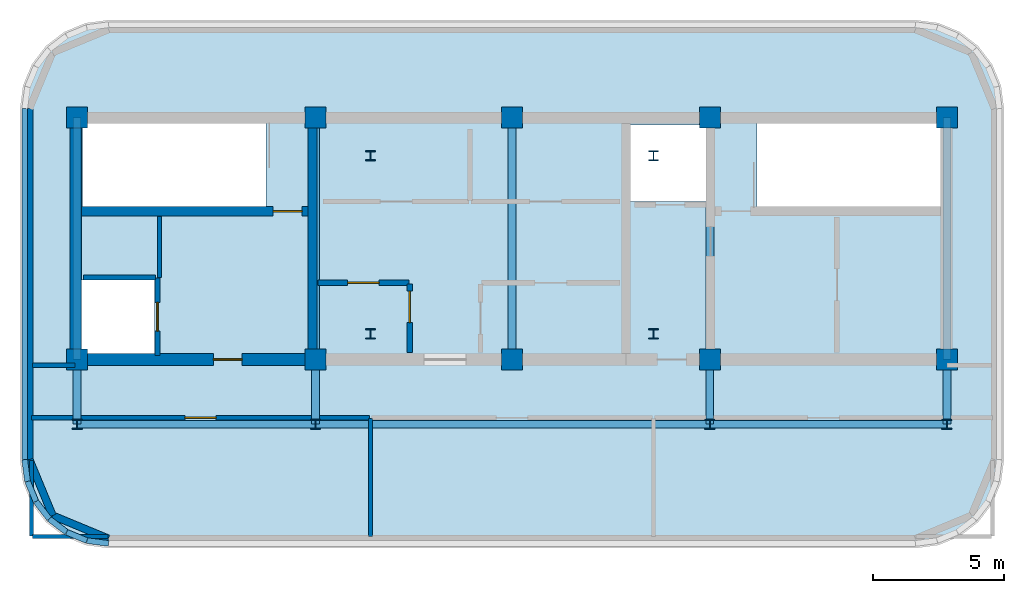
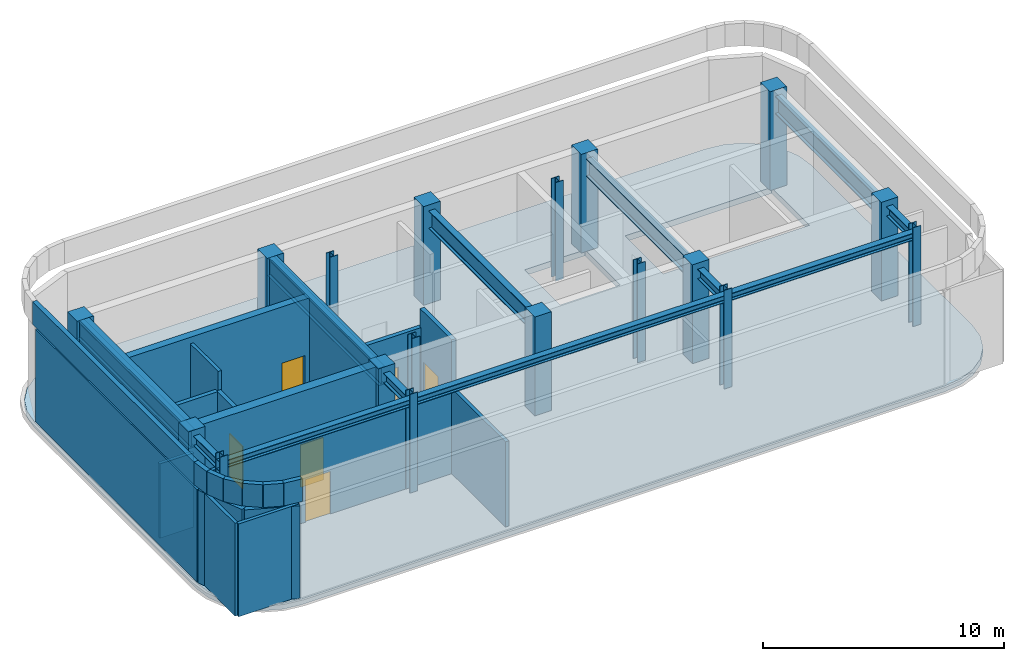
# One storey, part 1 of 4: 24 walls, 18 columns, 12 beams, 6 doors, 1 slab, 6 openings.
"""IFC4 building model written with IfcOpenShell, lengths in metres."""

from ifc_helpers import new_model, si_unit, direction, frame, frame_2d, origin, origin_2d, place, context, subcontext, project, spatial, polyline, rectangle, i_section, outline, extrude, material, layer, layer_set, material_profile, profile_set, type_object, element, fill, save


model = new_model("IFC4")

# Units and contexts
model_context = context("Model", 3, precision=1e-05, world=origin(), true_north=direction((0.0, 1.0)))
body_context = subcontext(model_context, "Body", "Model", "MODEL_VIEW")
ifc_project = project(units=[si_unit("LENGTHUNIT", "METRE"), si_unit("AREAUNIT", "SQUARE_METRE"), si_unit("VOLUMEUNIT", "CUBIC_METRE"), si_unit("PLANEANGLEUNIT", "RADIAN"), si_unit("MASSUNIT", "GRAM", prefix="KILO")], contexts=[model_context])

# Site, building, storey
site_placement = place(None, origin())
site = spatial("IfcSite", under=ifc_project, at=site_placement, CompositionType="ELEMENT")
building_placement = place(site_placement, origin())
building = spatial("IfcBuilding", under=site, at=building_placement, Name="Zarnavel Station Tower", CompositionType="ELEMENT")
storey_placement = place(building_placement, frame((0.0, 0.0, 286.60009765625)))
storey = spatial("IfcBuildingStorey", under=building, at=storey_placement, Name="L77", CompositionType="ELEMENT", Elevation=286.60009765625)

# Columns
ifc_material_1 = material(Name="Steel S355J2", Category="steel")
ifc_material_profile_1 = material_profile(ifc_material_1, i_section(OverallWidth=0.3740234375, OverallDepth=0.3720703125, WebThickness=0.0166015625, FlangeThickness=0.027099609375, FilletRadius=0.014892578125, at=origin_2d()), Name="HD360x196")
ifc_profile_set_1 = profile_set([ifc_material_profile_1], Name="Steel S355J2")
column_type_1 = type_object("IfcColumnType", Name="IC_HD196", PredefinedType="COLUMN", material=ifc_profile_set_1)
for number, where, z_axis, x_axis, name in (
    (1, (23.39990234375, 28.800048828125, 0.0), (0.0, 0.0, 1.0), (1.0, 0.0, 0.0), "L77 Mast Spine Column 1"),
    (2, (34.199951171875, 28.800048828125, 0.0), (0.0, 0.0, 1.0), (1.0, 0.0, 0.0), "L77 Mast Spine Column 2"),
    (3, (34.199951171875, 35.60009765625, 0.0), (0.0, 0.0, 1.0), (1.0, 0.0, 0.0), "L77 Mast Spine Column 3"),
    (4, (23.39990234375, 35.60009765625, 0.0), (0.0, 0.0, 1.0), (1.0, 0.0, 0.0), "L77 Mast Spine Column 4"),
    (5, (12.199951171875, 25.35009765625, 0.0), (0.0, 0.0, 1.0), (1.0, 0.0, 0.0), "L77 Inner Spine Column 1"),
    (6, (21.300048828125, 25.35009765625, 0.0), (0.0, 0.0, 1.0), (1.0, 0.0, 0.0), "L77 Inner Spine Column 2"),
    (7, (36.35009765625, 25.35009765625, 0.0), (0.0, 0.0, 1.0), (1.0, 0.0, 0.0), "L77 Inner Spine Column 4"),
    (8, (45.39990234375, 25.35009765625, 0.0), (0.0, 0.0, 1.0), (1.0, 0.0, 0.0), "L77 Inner Spine Column 5"),
):
    element("IfcColumn", number, at=place(storey_placement, frame(where, z_axis=z_axis, x_axis=x_axis)), inside=storey, type_object=column_type_1, Name=name, PredefinedType="COLUMN", context=body_context, shape_type="SweptSolid", body=[
        extrude(i_section(OverallWidth=0.3740234375, OverallDepth=0.3720703125, WebThickness=0.0166015625, FlangeThickness=0.027099609375, FilletRadius=0.014892578125, at=origin_2d()), origin(), (0.0, 0.0, 1.0), 5.0),
    ])
ifc_material_2 = material(Name="Concrete C45/55", Category="concrete")
ifc_material_profile_2 = material_profile(ifc_material_2, rectangle(XDim=0.800048828125, YDim=0.800048828125, at=origin_2d()), Name="RC800x800")
ifc_profile_set_2 = profile_set([ifc_material_profile_2], Name="Concrete C45/55")
column_type_2 = type_object("IfcColumnType", Name="IC_RC800", PredefinedType="COLUMN", material=ifc_profile_set_2)
for number, where, z_axis, x_axis, name in (
    (9, (12.199951171875, 27.820068359375, 0.0), (0.0, 0.0, 1.0), (1.0, 0.0, 0.0), "L77 Core Spine Column 1-1"),
    (10, (12.199951171875, 37.050048828125, 0.0), (0.0, 0.0, 1.0), (1.0, 0.0, 0.0), "L77 Core Spine Column 1-2"),
    (11, (21.300048828125, 27.820068359375, 0.0), (0.0, 0.0, 1.0), (1.0, 0.0, 0.0), "L77 Core Spine Column 2-1"),
    (12, (21.300048828125, 37.050048828125, 0.0), (0.0, 0.0, 1.0), (1.0, 0.0, 0.0), "L77 Core Spine Column 2-2"),
    (13, (28.800048828125, 27.820068359375, 0.0), (0.0, 0.0, 1.0), (1.0, 0.0, 0.0), "L77 Core Spine Column 3-1"),
    (14, (28.800048828125, 37.050048828125, 0.0), (0.0, 0.0, 1.0), (1.0, 0.0, 0.0), "L77 Core Spine Column 3-2"),
    (15, (36.35009765625, 27.820068359375, 0.0), (0.0, 0.0, 1.0), (1.0, 0.0, 0.0), "L77 Core Spine Column 4-1"),
    (16, (36.35009765625, 37.050048828125, 0.0), (0.0, 0.0, 1.0), (1.0, 0.0, 0.0), "L77 Core Spine Column 4-2"),
    (17, (45.39990234375, 27.820068359375, 0.0), (0.0, 0.0, 1.0), (1.0, 0.0, 0.0), "L77 Core Spine Column 5-1"),
    (18, (45.39990234375, 37.050048828125, 0.0), (0.0, 0.0, 1.0), (1.0, 0.0, 0.0), "L77 Core Spine Column 5-2"),
):
    element("IfcColumn", number, at=place(storey_placement, frame(where, z_axis=z_axis, x_axis=x_axis)), inside=storey, type_object=column_type_2, Name=name, PredefinedType="COLUMN", context=body_context, shape_type="SweptSolid", body=[
        extrude(rectangle(XDim=0.800048828125, YDim=0.800048828125, at=origin_2d()), origin(), (0.0, 0.0, 1.0), 5.0),
    ])

# Beams
ifc_material_3 = material(Name="Steel S355J2", Category="steel")
ifc_material_profile_3 = material_profile(ifc_material_3, i_section(OverallWidth=0.300048828125, OverallDepth=0.360107421875, WebThickness=0.012451171875, FlangeThickness=0.0224609375, FilletRadius=0.027099609375, at=origin_2d()), Name="HEB360")
ifc_profile_set_3 = profile_set([ifc_material_profile_3], Name="Steel S355J2")
beam_type_1 = type_object("IfcBeamType", Name="EB_HEB360", PredefinedType="SPANDREL", material=ifc_profile_set_3)
beam_1_placement = place(storey_placement, frame((12.199951171875, 25.35009765625, 4.52001953125), z_axis=(1.0, 0.0, 0.0), x_axis=(0.0, 1.0, 0.0)))
element("IfcBeam", 19, at=beam_1_placement, inside=storey, type_object=beam_type_1, Name="L77 Crown Ring West", PredefinedType="SPANDREL", context=body_context, shape_type="SweptSolid", body=[
    extrude(i_section(OverallWidth=0.300048828125, OverallDepth=0.360107421875, WebThickness=0.012451171875, FlangeThickness=0.0224609375, FilletRadius=0.027099609375, at=origin_2d()), origin(), (0.0, 0.0, 1.0), 9.10009765625),
])
beam_2_placement = place(storey_placement, frame((21.300048828125, 25.35009765625, 4.52001953125), z_axis=(1.0, 0.0, 0.0), x_axis=(0.0, 1.0, 0.0)))
element("IfcBeam", 20, at=beam_2_placement, inside=storey, type_object=beam_type_1, Name="L77 Crown Ring Mid", PredefinedType="SPANDREL", context=body_context, shape_type="SweptSolid", body=[
    extrude(i_section(OverallWidth=0.300048828125, OverallDepth=0.360107421875, WebThickness=0.012451171875, FlangeThickness=0.0224609375, FilletRadius=0.027099609375, at=origin_2d()), origin(), (0.0, 0.0, 1.0), 15.050048828125),
])
beam_3_placement = place(storey_placement, frame((36.35009765625, 25.35009765625, 4.52001953125), z_axis=(1.0, 0.0, 0.0), x_axis=(0.0, 1.0, 0.0)))
element("IfcBeam", 21, at=beam_3_placement, inside=storey, type_object=beam_type_1, Name="L77 Crown Ring East", PredefinedType="SPANDREL", context=body_context, shape_type="SweptSolid", body=[
    extrude(i_section(OverallWidth=0.300048828125, OverallDepth=0.360107421875, WebThickness=0.012451171875, FlangeThickness=0.0224609375, FilletRadius=0.027099609375, at=origin_2d()), origin(), (0.0, 0.0, 1.0), 9.0498046875),
])
ifc_material_4 = material(Name="Steel S355J2", Category="steel")
ifc_material_profile_4 = material_profile(ifc_material_4, i_section(OverallWidth=0.300048828125, OverallDepth=0.5, WebThickness=0.014404296875, FlangeThickness=0.028076171875, FilletRadius=0.027099609375, at=origin_2d()), Name="HEB500")
ifc_profile_set_4 = profile_set([ifc_material_profile_4], Name="Steel S355J2")
beam_type_2 = type_object("IfcBeamType", Name="FG_HEB500", PredefinedType="USERDEFINED", material=ifc_profile_set_4)
for number, where, z_axis, x_axis, name in (
    (22, (12.199951171875, 25.35009765625, 4.449951171875), (0.0, 1.0, 0.0), (-1.0, 0.0, 0.0), "L77 Crown Radial Girder 1"),
    (23, (21.300048828125, 25.35009765625, 4.449951171875), (0.0, 1.0, 0.0), (-1.0, 0.0, 0.0), "L77 Crown Radial Girder 2"),
    (24, (36.35009765625, 25.35009765625, 4.449951171875), (0.0, 1.0, 0.0), (-1.0, 0.0, 0.0), "L77 Crown Radial Girder 3"),
    (25, (45.39990234375, 25.35009765625, 4.449951171875), (0.0, 1.0, 0.0), (-1.0, 0.0, 0.0), "L77 Crown Radial Girder 4"),
):
    element("IfcBeam", number, at=place(storey_placement, frame(where, z_axis=z_axis, x_axis=x_axis)), inside=storey, type_object=beam_type_2, Name=name, ObjectType="GIRDER", PredefinedType="USERDEFINED", context=body_context, shape_type="SweptSolid", body=[
        extrude(i_section(OverallWidth=0.300048828125, OverallDepth=0.5, WebThickness=0.014404296875, FlangeThickness=0.028076171875, FilletRadius=0.027099609375, at=origin_2d()), origin(), (0.0, 0.0, 1.0), 2.469970703125),
    ])
ifc_material_5 = material(Name="Steel S460M", Category="steel")
ifc_material_profile_5 = material_profile(ifc_material_5, i_section(OverallWidth=0.302001953125, OverallDepth=0.909912109375, WebThickness=0.02099609375, FlangeThickness=0.0400390625, FilletRadius=0.030029296875, at=origin_2d()), Name="HEM900")
ifc_profile_set_5 = profile_set([ifc_material_profile_5], Name="Steel S460M")
beam_type_3 = type_object("IfcBeamType", Name="TG_HEM900", PredefinedType="USERDEFINED", material=ifc_profile_set_5)
for number, where, z_axis, x_axis, name in (
    (26, (12.199951171875, 27.820068359375, 4.244873046875), (0.0, 1.0, 0.0), (-1.0, 0.0, 0.0), "L77 Core Spine Coupling Girder 1"),
    (27, (21.300048828125, 27.820068359375, 4.244873046875), (0.0, 1.0, 0.0), (-1.0, 0.0, 0.0), "L77 Core Spine Coupling Girder 2"),
    (28, (28.800048828125, 27.820068359375, 4.244873046875), (0.0, 1.0, 0.0), (-1.0, 0.0, 0.0), "L77 Core Spine Coupling Girder 3"),
    (29, (36.35009765625, 27.820068359375, 4.244873046875), (0.0, 1.0, 0.0), (-1.0, 0.0, 0.0), "L77 Core Spine Coupling Girder 4"),
    (30, (45.39990234375, 27.820068359375, 4.244873046875), (0.0, 1.0, 0.0), (-1.0, 0.0, 0.0), "L77 Core Spine Coupling Girder 5"),
):
    element("IfcBeam", number, at=place(storey_placement, frame(where, z_axis=z_axis, x_axis=x_axis)), inside=storey, type_object=beam_type_3, Name=name, ObjectType="GIRDER", PredefinedType="USERDEFINED", context=body_context, shape_type="SweptSolid", body=[
        extrude(i_section(OverallWidth=0.302001953125, OverallDepth=0.909912109375, WebThickness=0.02099609375, FlangeThickness=0.0400390625, FilletRadius=0.030029296875, at=origin_2d()), origin(), (0.0, 0.0, 1.0), 9.22998046875),
    ])

# Slab
ifc_material_6 = material(Name="Concrete C45/55", Category="concrete")
ifc_layer_1 = layer(ifc_material_6, 0.300048828125)
ifc_layer_set_1 = layer_set([ifc_layer_1], Name="SL_FLR_300")
slab_type = type_object("IfcSlabType", Name="SL_FLR_300", PredefinedType="FLOOR", material=ifc_layer_set_1)
slab_placement = place(storey_placement, frame((0.0, 0.0, -0.300048828125)))
element("IfcSlab", 31, at=slab_placement, inside=storey, type_object=slab_type, Name="L77 Structural Floor Slab", PredefinedType="FLOOR", context=body_context, shape_type="SweptSolid", body=[
    extrude(outline(polyline([(44.199951171875, 20.800048828125), (45.0283203125, 20.908935546875), (45.800048828125, 21.228759765625), (46.462646484375, 21.7373046875), (46.97119140625, 22.39990234375), (47.291015625, 23.171875), (47.39990234375, 24.0), (47.39990234375, 37.39990234375), (47.291015625, 38.228271484375), (46.97119140625, 39.0), (46.462646484375, 39.66259765625), (45.800048828125, 40.17138671875), (45.0283203125, 40.490966796875), (44.199951171875, 40.60009765625), (13.39990234375, 40.60009765625), (12.57177734375, 40.490966796875), (11.800048828125, 40.17138671875), (11.13720703125, 39.66259765625), (10.628662109375, 39.0), (10.30908203125, 38.228271484375), (10.199951171875, 37.39990234375), (10.199951171875, 24.0), (10.30908203125, 23.171875), (10.628662109375, 22.39990234375), (11.13720703125, 21.7373046875), (11.800048828125, 21.228759765625), (12.57177734375, 20.908935546875), (13.39990234375, 20.800048828125), (44.199951171875, 20.800048828125)]), holes=[polyline([(12.39990234375, 33.659912109375), (19.409912109375, 33.659912109375), (19.409912109375, 36.820068359375), (12.39990234375, 36.820068359375), (12.39990234375, 33.659912109375)]), polyline([(38.14990234375, 33.659912109375), (45.159912109375, 33.659912109375), (45.159912109375, 36.820068359375), (38.14990234375, 36.820068359375), (38.14990234375, 33.659912109375)]), polyline([(12.35009765625, 27.949951171875), (15.14990234375, 27.949951171875), (15.14990234375, 30.85009765625), (12.35009765625, 30.85009765625), (12.35009765625, 27.949951171875)]), polyline([(33.320068359375, 33.85009765625), (36.2099609375, 33.85009765625), (36.2099609375, 36.780029296875), (33.320068359375, 36.780029296875), (33.320068359375, 33.85009765625)])]), origin(), (0.0, 0.0, 1.0), 0.300048828125),
])

# Wall
ifc_material_7 = material(Name="Concrete C50/60", Category="concrete")
ifc_layer_2 = layer(ifc_material_7, 0.35009765625)
ifc_layer_set_2 = layer_set([ifc_layer_2], Name="CW_350")
wall_type_1 = type_object("IfcWallType", Name="CW_350", PredefinedType="SHEAR", material=ifc_layer_set_2)
wall_1_placement = place(storey_placement, frame((21.179931640625, 28.044921875, 0.0), z_axis=(0.0, 0.0, 1.0), x_axis=(0.0, 1.0, 0.0)))
element("IfcWall", 32, at=wall_1_placement, inside=storey, type_object=wall_type_1, Name="L77 Rear Core Shear Wall DIV-W", PredefinedType="SHEAR", context=body_context, shape_type="SweptSolid", body=[
    extrude(rectangle(XDim=8.780029296875, YDim=0.35009765625, at=frame_2d((4.39013671875, 0.0))), origin(), (0.0, 0.0, 1.0), 5.0),
])

# Wall, opening, door
wall_2_placement = place(storey_placement, frame((21.0048828125, 33.47998046875, 0.0), z_axis=(0.0, 0.0, 1.0), x_axis=(-1.0, 0.0, 0.0)))
wall_2 = element("IfcWall", 33, at=wall_2_placement, inside=storey, type_object=wall_type_1, Name="L77 Rear Core Shear Wall DIV-H1", PredefinedType="SHEAR", context=body_context, shape_type="SweptSolid", body=[
    extrude(rectangle(XDim=8.6298828125, YDim=0.35009765625, at=frame_2d((4.31494140625, 0.0))), origin(), (0.0, 0.0, 1.0), 5.0),
])
opening_1_placement = place(wall_2_placement, frame((0.219970703125, 0.0, 0.0)))
opening_1 = element("IfcOpeningElement", 34, at=opening_1_placement, cuts=wall_2, Name="Opening FD01", PredefinedType="OPENING", context=body_context, shape_type="SweptSolid", body=[
    extrude(rectangle(XDim=1.10009765625, YDim=2.14990234375, at=frame_2d((0.550048828125, 1.074951171875))), frame((0.0, 0.18505859375, 0.0), z_axis=(0.0, -1.0, 0.0), x_axis=(1.0, 0.0, 0.0)), (0.0, 0.0, 1.0), 0.3701171875),
])
ifc_material_8 = material(Name="Painted Galvanised Steel and Hardwood Leaf", Category="steel")
door_type_1 = type_object("IfcDoorType", Name="ID_STAIR_1100", OperationType="NOTDEFINED", PredefinedType="DOOR", material=ifc_material_8)
door_1_placement = place(opening_1_placement, origin())
door_1 = element("IfcDoor", 35, at=door_1_placement, inside=storey, type_object=door_type_1, Name="L77 Stair ST1 Lobby Fire Door", OperationType="SINGLE_SWING_LEFT", OverallHeight=2.14990234375, OverallWidth=1.10009765625, PredefinedType="DOOR", context=body_context, shape_type="SweptSolid", body=[
    extrude(rectangle(XDim=1.10009765625, YDim=2.14990234375, at=frame_2d((0.550048828125, 1.074951171875))), frame((0.0, 0.02490234375, 0.0), z_axis=(0.0, -1.0, 0.0), x_axis=(1.0, 0.0, 0.0)), (0.0, 0.0, 1.0), 0.050048828125),
])
fill(opening_1, door_1)

ifc_material_9 = material(Name="Concrete C50/60", Category="concrete")
ifc_layer_3 = layer(ifc_material_9, 0.449951171875)
ifc_layer_set_3 = layer_set([ifc_layer_3], Name="CW_450")
wall_type_2 = type_object("IfcWallType", Name="CW_450", PredefinedType="SHEAR", material=ifc_layer_set_3)
wall_3_placement = place(storey_placement, frame((21.179931640625, 27.820068359375, 0.0), z_axis=(0.0, 0.0, 1.0), x_axis=(-1.0, 0.0, 0.0)))
wall_3 = element("IfcWall", 36, at=wall_3_placement, inside=storey, type_object=wall_type_2, Name="L77 Rear Core Shear Wall S-W", PredefinedType="SHEAR", context=body_context, shape_type="SweptSolid", body=[
    extrude(rectangle(XDim=9.030029296875, YDim=0.449951171875, at=frame_2d((4.51513671875, 0.0))), origin(), (0.0, 0.0, 1.0), 5.0),
])
opening_2_placement = place(wall_3_placement, frame((2.679931640625, 0.0, 0.0)))
opening_2 = element("IfcOpeningElement", 37, at=opening_2_placement, cuts=wall_3, Name="Opening FD01", PredefinedType="OPENING", context=body_context, shape_type="SweptSolid", body=[
    extrude(rectangle(XDim=1.10009765625, YDim=2.14990234375, at=frame_2d((0.550048828125, 1.074951171875))), frame((0.0, 0.23486328125, 0.0), z_axis=(0.0, -1.0, 0.0), x_axis=(1.0, 0.0, 0.0)), (0.0, 0.0, 1.0), 0.469970703125),
])
door_2_placement = place(opening_2_placement, origin())
door_2 = element("IfcDoor", 38, at=door_2_placement, inside=storey, type_object=door_type_1, Name="L77 West Firefighting Lobby Door", OperationType="SINGLE_SWING_RIGHT", OverallHeight=2.14990234375, OverallWidth=1.10009765625, PredefinedType="DOOR", context=body_context, shape_type="SweptSolid", body=[
    extrude(rectangle(XDim=1.10009765625, YDim=2.14990234375, at=frame_2d((0.550048828125, 1.074951171875))), frame((0.0, 0.02490234375, 0.0), z_axis=(0.0, -1.0, 0.0), x_axis=(1.0, 0.0, 0.0)), (0.0, 0.0, 1.0), 0.050048828125),
])
fill(opening_2, door_2)

# Walls
wall_4_placement = place(storey_placement, frame((12.14990234375, 28.044921875, 0.0), z_axis=(0.0, 0.0, 1.0), x_axis=(0.0, 1.0, 0.0)))
element("IfcWall", 39, at=wall_4_placement, inside=storey, type_object=wall_type_2, Name="L77 Rear Core Shear Wall W", PredefinedType="SHEAR", context=body_context, shape_type="SweptSolid", body=[
    extrude(rectangle(XDim=8.780029296875, YDim=0.449951171875, at=frame_2d((4.39013671875, 0.0))), origin(), (0.0, 0.0, 1.0), 5.0),
])
ifc_material_10 = material(Name="Precast concrete C45/55 (Crown Drum Cladding)", Category="concrete")
ifc_layer_4 = layer(ifc_material_10, 0.280029296875)
ifc_layer_set_4 = layer_set([ifc_layer_4], Name="EW_DRUM_280")
wall_type_3 = type_object("IfcWallType", Name="EW_DRUM_280", PredefinedType="SOLIDWALL", material=ifc_layer_set_4)
wall_5_placement = place(storey_placement, frame((10.3798828125, 24.0, 0.0), z_axis=(0.0, 0.0, 1.0), x_axis=(0.0, 1.0, 0.0)))
element("IfcWall", 40, at=wall_5_placement, inside=storey, type_object=wall_type_3, Name="L77 Exterior Basalt Masonry Frame Wall 09", PredefinedType="SOLIDWALL", context=body_context, shape_type="SweptSolid", body=[
    extrude(rectangle(XDim=13.39990234375, YDim=0.280029296875, at=frame_2d((6.699951171875, 0.0))), origin(), (0.0, 0.0, 1.0), 4.699951171875),
])
for number, where, z_axis, x_axis, name in (
    (41, (11.264404296875, 21.864501953125, 0.0), (0.0, 0.0, 1.0), (-0.382672070113, 0.923884238828, 0.0), "L77 Exterior Basalt Masonry Frame Wall 10"),
    (42, (13.39990234375, 20.97998046875, 0.0), (0.0, 0.0, 1.0), (-0.923884238828, 0.382672070113, 0.0), "L77 Exterior Basalt Masonry Frame Wall 11"),
):
    element("IfcWall", number, at=place(storey_placement, frame(where, z_axis=z_axis, x_axis=x_axis)), inside=storey, type_object=wall_type_3, Name=name, PredefinedType="SOLIDWALL", context=body_context, shape_type="SweptSolid", body=[
        extrude(rectangle(XDim=2.3115234375, YDim=0.280029296875, at=frame_2d((1.15576171875, 0.0))), origin(), (0.0, 0.0, 1.0), 4.699951171875),
    ])

# Wall, opening, door
ifc_material_11 = material(Name="Gypsum Twin-Stud Acoustic Fire Partition", Category="concrete")
ifc_layer_5 = layer(ifc_material_11, 0.159912109375)
ifc_layer_set_5 = layer_set([ifc_layer_5], Name="PT_DEMISE_160")
wall_type_4 = type_object("IfcWallType", Name="PT_DEMISE_160", PredefinedType="PARTITIONING", material=ifc_layer_set_5)
wall_6_placement = place(storey_placement, frame((10.4599609375, 25.60009765625, 0.0), z_axis=(0.0, 0.0, 1.0), x_axis=(1.0, 0.0, 0.0)))
wall_6 = element("IfcWall", 43, at=wall_6_placement, inside=storey, type_object=wall_type_4, Name="L77 Partition DCOR-TXM1", PredefinedType="PARTITIONING", context=body_context, shape_type="SweptSolid", body=[
    extrude(rectangle(XDim=12.900146484375, YDim=0.159912109375, at=frame_2d((6.4501953125, 0.0))), origin(), (0.0, 0.0, 1.0), 4.179931640625),
])
opening_3_placement = place(wall_6_placement, frame((5.85009765625, 0.0, 0.0)))
opening_3 = element("IfcOpeningElement", 44, at=opening_3_placement, cuts=wall_6, Name="Opening FD03", PredefinedType="OPENING", context=body_context, shape_type="SweptSolid", body=[
    extrude(rectangle(XDim=1.199951171875, YDim=2.14990234375, at=frame_2d((0.60009765625, 1.074951171875))), frame((0.0, 0.08984375, 0.0), z_axis=(0.0, -1.0, 0.0), x_axis=(1.0, 0.0, 0.0)), (0.0, 0.0, 1.0), 0.179931640625),
])
ifc_material_12 = material(Name="Painted Galvanised Steel and Hardwood Leaf", Category="steel")
door_type_2 = type_object("IfcDoorType", Name="ID_PLANT_1200", OperationType="NOTDEFINED", PredefinedType="DOOR", material=ifc_material_12)
door_3_placement = place(opening_3_placement, origin())
door_3 = element("IfcDoor", 45, at=door_3_placement, inside=storey, type_object=door_type_2, Name="L77 Door DCOR-TXM1", OperationType="SINGLE_SWING_RIGHT", OverallHeight=2.14990234375, OverallWidth=1.199951171875, PredefinedType="DOOR", context=body_context, shape_type="SweptSolid", body=[
    extrude(rectangle(XDim=1.199951171875, YDim=2.14990234375, at=frame_2d((0.60009765625, 1.074951171875))), frame((0.0, 0.02490234375, 0.0), z_axis=(0.0, -1.0, 0.0), x_axis=(1.0, 0.0, 0.0)), (0.0, 0.0, 1.0), 0.050048828125),
])
fill(opening_3, door_3)

# Walls
wall_7_placement = place(storey_placement, frame((23.39990234375, 21.06005859375, 0.0), z_axis=(0.0, 0.0, 1.0), x_axis=(0.0, 1.0, 0.0)))
element("IfcWall", 46, at=wall_7_placement, inside=storey, type_object=wall_type_4, Name="L77 Partition TXM1-TXM2", PredefinedType="PARTITIONING", context=body_context, shape_type="SweptSolid", body=[
    extrude(rectangle(XDim=4.5, YDim=0.159912109375, at=frame_2d((2.25, 0.0))), origin(), (0.0, 0.0, 1.0), 4.31982421875),
])
wall_8_placement = place(storey_placement, frame((15.35009765625, 30.9599609375, 0.0), z_axis=(0.0, 0.0, 1.0), x_axis=(0.0, 1.0, 0.0)))
element("IfcWall", 47, at=wall_8_placement, inside=storey, type_object=wall_type_4, Name="L77 Enclosure Wall FFL1", PredefinedType="PARTITIONING", context=body_context, shape_type="SweptSolid", body=[
    extrude(rectangle(XDim=2.31005859375, YDim=0.159912109375, at=frame_2d((1.155029296875, 0.0))), origin(), (0.0, 0.0, 1.0), 4.699951171875),
])
wall_9_placement = place(storey_placement, frame((10.489990234375, 27.60009765625, 0.0), z_axis=(0.0, 0.0, 1.0), x_axis=(1.0, 0.0, 0.0)))
element("IfcWall", 48, at=wall_9_placement, inside=storey, type_object=wall_type_4, Name="L77 Enclosure Wall DCOR", PredefinedType="PARTITIONING", context=body_context, shape_type="SweptSolid", body=[
    extrude(rectangle(XDim=1.630126953125, YDim=0.159912109375, at=frame_2d((0.81494140625, 0.0))), origin(), (0.0, 0.0, 1.0), 3.77001953125),
])
wall_10_placement = place(storey_placement, frame((10.489990234375, 21.06005859375, 0.0), z_axis=(0.0, 0.0, 1.0), x_axis=(1.0, 0.0, 0.0)))
element("IfcWall", 49, at=wall_10_placement, inside=storey, type_object=wall_type_4, Name="L77 Enclosure Wall TXM1", PredefinedType="PARTITIONING", context=body_context, shape_type="SweptSolid", body=[
    extrude(rectangle(XDim=2.880126953125, YDim=0.159912109375, at=frame_2d((1.43994140625, 0.0))), origin(), (0.0, 0.0, 1.0), 4.699951171875),
])
wall_11_placement = place(storey_placement, frame((10.4599609375, 21.090087890625, 0.0), z_axis=(0.0, 0.0, 1.0), x_axis=(0.0, 1.0, 0.0)))
element("IfcWall", 50, at=wall_11_placement, inside=storey, type_object=wall_type_4, Name="L77 Enclosure Wall TXM1", PredefinedType="PARTITIONING", context=body_context, shape_type="SweptSolid", body=[
    extrude(rectangle(XDim=2.8798828125, YDim=0.159912109375, at=frame_2d((1.43994140625, 0.0))), origin(), (0.0, 0.0, 1.0), 4.699951171875),
])

# Wall, opening, door
ifc_material_13 = material(Name="Precast concrete C45/55 (Fire Shaft Blockwork)", Category="masonry")
ifc_layer_6 = layer(ifc_material_13, 0.199951171875)
ifc_layer_set_6 = layer_set([ifc_layer_6], Name="PT_SHAFT_200")
wall_type_5 = type_object("IfcWallType", Name="PT_SHAFT_200", PredefinedType="PARTITIONING", material=ifc_layer_set_6)
wall_12_placement = place(storey_placement, frame((15.27001953125, 27.969970703125, 0.0), z_axis=(0.0, 0.0, 1.0), x_axis=(0.0, 1.0, 0.0)))
wall_12 = element("IfcWall", 51, at=wall_12_placement, inside=storey, type_object=wall_type_5, Name="L77 Lift FFL-01 Shaft Front Wall", PredefinedType="PARTITIONING", context=body_context, shape_type="SweptSolid", body=[
    extrude(rectangle(XDim=2.9599609375, YDim=0.199951171875, at=frame_2d((1.47998046875, 0.0))), origin(), (0.0, 0.0, 1.0), 3.77001953125),
])
opening_4_placement = place(wall_12_placement, frame((0.929931640625, 0.0, 0.0)))
opening_4 = element("IfcOpeningElement", 52, at=opening_4_placement, cuts=wall_12, Name="Opening LD01", PredefinedType="OPENING", context=body_context, shape_type="SweptSolid", body=[
    extrude(rectangle(XDim=1.10009765625, YDim=2.14990234375, at=frame_2d((0.550048828125, 1.074951171875))), frame((0.0, 0.10986328125, 0.0), z_axis=(0.0, -1.0, 0.0), x_axis=(1.0, 0.0, 0.0)), (0.0, 0.0, 1.0), 0.219970703125),
])
ifc_material_14 = material(Name="Painted Galvanised Steel and Hardwood Leaf", Category="steel")
door_type_3 = type_object("IfcDoorType", Name="LD_FF_1100", OperationType="DOUBLE_DOOR_SLIDING", PredefinedType="DOOR", material=ifc_material_14)
door_4_placement = place(opening_4_placement, origin())
door_4 = element("IfcDoor", 53, at=door_4_placement, inside=storey, type_object=door_type_3, Name="L77 Lift FFL-01 Sliding Landing Door", OperationType="DOUBLE_DOOR_SLIDING", OverallHeight=2.14990234375, OverallWidth=1.10009765625, PredefinedType="DOOR", context=body_context, shape_type="SweptSolid", body=[
    extrude(rectangle(XDim=1.10009765625, YDim=2.14990234375, at=frame_2d((0.550048828125, 1.074951171875))), frame((0.0, 0.02490234375, 0.0), z_axis=(0.0, -1.0, 0.0), x_axis=(1.0, 0.0, 0.0)), (0.0, 0.0, 1.0), 0.050048828125),
])
fill(opening_4, door_4)

# Wall
wall_13_placement = place(storey_placement, frame((12.449951171875, 30.949951171875, 0.0), z_axis=(0.0, 0.0, 1.0), x_axis=(1.0, 0.0, 0.0)))
element("IfcWall", 54, at=wall_13_placement, inside=storey, type_object=wall_type_5, Name="L77 Lift FFL-01 North Shaft Wall", PredefinedType="PARTITIONING", context=body_context, shape_type="SweptSolid", body=[
    extrude(rectangle(XDim=2.75, YDim=0.199951171875, at=frame_2d((1.375, 0.0))), origin(), (0.0, 0.0, 1.0), 3.77001953125),
])

# Wall, opening, door
wall_14_placement = place(storey_placement, frame((21.39990234375, 30.75, 0.0), z_axis=(0.0, 0.0, 1.0), x_axis=(1.0, 0.0, 0.0)))
wall_14 = element("IfcWall", 55, at=wall_14_placement, inside=storey, type_object=wall_type_5, Name="L77 Partition LLOB-CS1", PredefinedType="PARTITIONING", context=body_context, shape_type="SweptSolid", body=[
    extrude(rectangle(XDim=3.460205078125, YDim=0.199951171875, at=frame_2d((1.72998046875, 0.0))), origin(), (0.0, 0.0, 1.0), 3.77001953125),
])
opening_5_placement = place(wall_14_placement, frame((1.1298828125, 0.0, 0.0)))
opening_5 = element("IfcOpeningElement", 56, at=opening_5_placement, cuts=wall_14, Name="Opening FD03", PredefinedType="OPENING", context=body_context, shape_type="SweptSolid", body=[
    extrude(rectangle(XDim=1.199951171875, YDim=2.14990234375, at=frame_2d((0.60009765625, 1.074951171875))), frame((0.0, 0.10986328125, 0.0), z_axis=(0.0, -1.0, 0.0), x_axis=(1.0, 0.0, 0.0)), (0.0, 0.0, 1.0), 0.219970703125),
])
door_5_placement = place(opening_5_placement, origin())
door_5 = element("IfcDoor", 57, at=door_5_placement, inside=storey, type_object=door_type_2, Name="L77 Door LLOB-CS1", OperationType="SINGLE_SWING_RIGHT", OverallHeight=2.14990234375, OverallWidth=1.199951171875, PredefinedType="DOOR", context=body_context, shape_type="SweptSolid", body=[
    extrude(rectangle(XDim=1.199951171875, YDim=2.14990234375, at=frame_2d((0.60009765625, 1.074951171875))), frame((0.0, 0.02490234375, 0.0), z_axis=(0.0, -1.0, 0.0), x_axis=(1.0, 0.0, 0.0)), (0.0, 0.0, 1.0), 0.050048828125),
])
fill(opening_5, door_5)

wall_15_placement = place(storey_placement, frame((24.89990234375, 28.090087890625, 0.0), z_axis=(0.0, 0.0, 1.0), x_axis=(0.0, 1.0, 0.0)))
wall_15 = element("IfcWall", 58, at=wall_15_placement, inside=storey, type_object=wall_type_5, Name="L77 Partition LLOBS-CS1", PredefinedType="PARTITIONING", context=body_context, shape_type="SweptSolid", body=[
    extrude(rectangle(XDim=2.619873046875, YDim=0.199951171875, at=frame_2d((1.31005859375, 0.0))), origin(), (0.0, 0.0, 1.0), 4.699951171875),
])
opening_6_placement = place(wall_15_placement, frame((1.137451171875, 0.0, 0.0)))
opening_6 = element("IfcOpeningElement", 59, at=opening_6_placement, cuts=wall_15, Name="Opening FD03", PredefinedType="OPENING", context=body_context, shape_type="SweptSolid", body=[
    extrude(rectangle(XDim=1.199951171875, YDim=2.14990234375, at=frame_2d((0.60009765625, 1.074951171875))), frame((0.0, 0.10986328125, 0.0), z_axis=(0.0, -1.0, 0.0), x_axis=(1.0, 0.0, 0.0)), (0.0, 0.0, 1.0), 0.219970703125),
])
door_6_placement = place(opening_6_placement, origin())
door_6 = element("IfcDoor", 60, at=door_6_placement, inside=storey, type_object=door_type_2, Name="L77 Door LLOBS-CS1", OperationType="SINGLE_SWING_RIGHT", OverallHeight=2.14990234375, OverallWidth=1.199951171875, PredefinedType="DOOR", context=body_context, shape_type="SweptSolid", body=[
    extrude(rectangle(XDim=1.199951171875, YDim=2.14990234375, at=frame_2d((0.60009765625, 1.074951171875))), frame((0.0, 0.02490234375, 0.0), z_axis=(0.0, -1.0, 0.0), x_axis=(1.0, 0.0, 0.0)), (0.0, 0.0, 1.0), 0.050048828125),
])
fill(opening_6, door_6)

# Walls
ifc_material_15 = material(Name="Precast concrete C45/55 (Travertine Cap)", Category="masonry")
ifc_layer_7 = layer(ifc_material_15, 0.219970703125)
ifc_layer_set_7 = layer_set([ifc_layer_7], Name="PW_PARAPET_220")
wall_type_6 = type_object("IfcWallType", Name="PW_PARAPET_220", PredefinedType="PARAPET", material=ifc_layer_set_7)
wall_16_placement = place(storey_placement, frame((10.199951171875, 37.39990234375, 5.0), z_axis=(0.0, 0.0, 1.0), x_axis=(0.0, -1.0, 0.0)))
element("IfcWall", 61, at=wall_16_placement, inside=storey, type_object=wall_type_6, Name="Main Roof Parapet 21", PredefinedType="PARAPET", context=body_context, shape_type="SweptSolid", body=[
    extrude(rectangle(XDim=13.39990234375, YDim=0.219970703125, at=frame_2d((6.699951171875, 0.0))), origin(), (0.0, 0.0, 1.0), 1.14990234375),
])
wall_17_placement = place(storey_placement, frame((10.199951171875, 24.0, 5.0), z_axis=(0.0, 0.0, 1.0), x_axis=(0.130651090611, -0.991428410185, 0.0)))
element("IfcWall", 62, at=wall_17_placement, inside=storey, type_object=wall_type_6, Name="Main Roof Parapet 22", PredefinedType="PARAPET", context=body_context, shape_type="SweptSolid", body=[
    extrude(rectangle(XDim=0.835205078125, YDim=0.219970703125, at=frame_2d((0.41748046875, 0.0))), origin(), (0.0, 0.0, 1.0), 1.14990234375),
])
wall_18_placement = place(storey_placement, frame((10.30908203125, 23.171875, 5.0), z_axis=(0.0, 0.0, 1.0), x_axis=(0.382498039412, -0.923956302996, 0.0)))
element("IfcWall", 63, at=wall_18_placement, inside=storey, type_object=wall_type_6, Name="Main Roof Parapet 23", PredefinedType="PARAPET", context=body_context, shape_type="SweptSolid", body=[
    extrude(rectangle(XDim=0.83544921875, YDim=0.219970703125, at=frame_2d((0.417724609375, 0.0))), origin(), (0.0, 0.0, 1.0), 1.14990234375),
])
wall_19_placement = place(storey_placement, frame((10.628662109375, 22.39990234375, 5.0), z_axis=(0.0, 0.0, 1.0), x_axis=(0.608848730431, -0.793286343922, 0.0)))
element("IfcWall", 64, at=wall_19_placement, inside=storey, type_object=wall_type_6, Name="Main Roof Parapet 24", PredefinedType="PARAPET", context=body_context, shape_type="SweptSolid", body=[
    extrude(rectangle(XDim=0.835205078125, YDim=0.219970703125, at=frame_2d((0.41748046875, 0.0))), origin(), (0.0, 0.0, 1.0), 1.14990234375),
])
for number, where, z_axis, x_axis, name in (
    (65, (11.13720703125, 21.7373046875, 5.0), (0.0, 0.0, 1.0), (0.793394658748, -0.608707577964, 0.0), "Main Roof Parapet 25"),
    (66, (11.800048828125, 21.228759765625, 5.0), (0.0, 0.0, 1.0), (0.923810192325, -0.382850791505, 0.0), "Main Roof Parapet 26"),
):
    element("IfcWall", number, at=place(storey_placement, frame(where, z_axis=z_axis, x_axis=x_axis)), inside=storey, type_object=wall_type_6, Name=name, PredefinedType="PARAPET", context=body_context, shape_type="SweptSolid", body=[
        extrude(rectangle(XDim=0.83544921875, YDim=0.219970703125, at=frame_2d((0.417724609375, 0.0))), origin(), (0.0, 0.0, 1.0), 1.14990234375),
    ])
wall_20_placement = place(storey_placement, frame((12.57177734375, 20.908935546875, 5.0), z_axis=(0.0, 0.0, 1.0), x_axis=(0.99146622994, -0.130363779055, 0.0)))
element("IfcWall", 67, at=wall_20_placement, inside=storey, type_object=wall_type_6, Name="Main Roof Parapet 27", PredefinedType="PARAPET", context=body_context, shape_type="SweptSolid", body=[
    extrude(rectangle(XDim=0.835205078125, YDim=0.219970703125, at=frame_2d((0.41748046875, 0.0))), origin(), (0.0, 0.0, 1.0), 1.14990234375),
])

save(model, "model.ifc")
